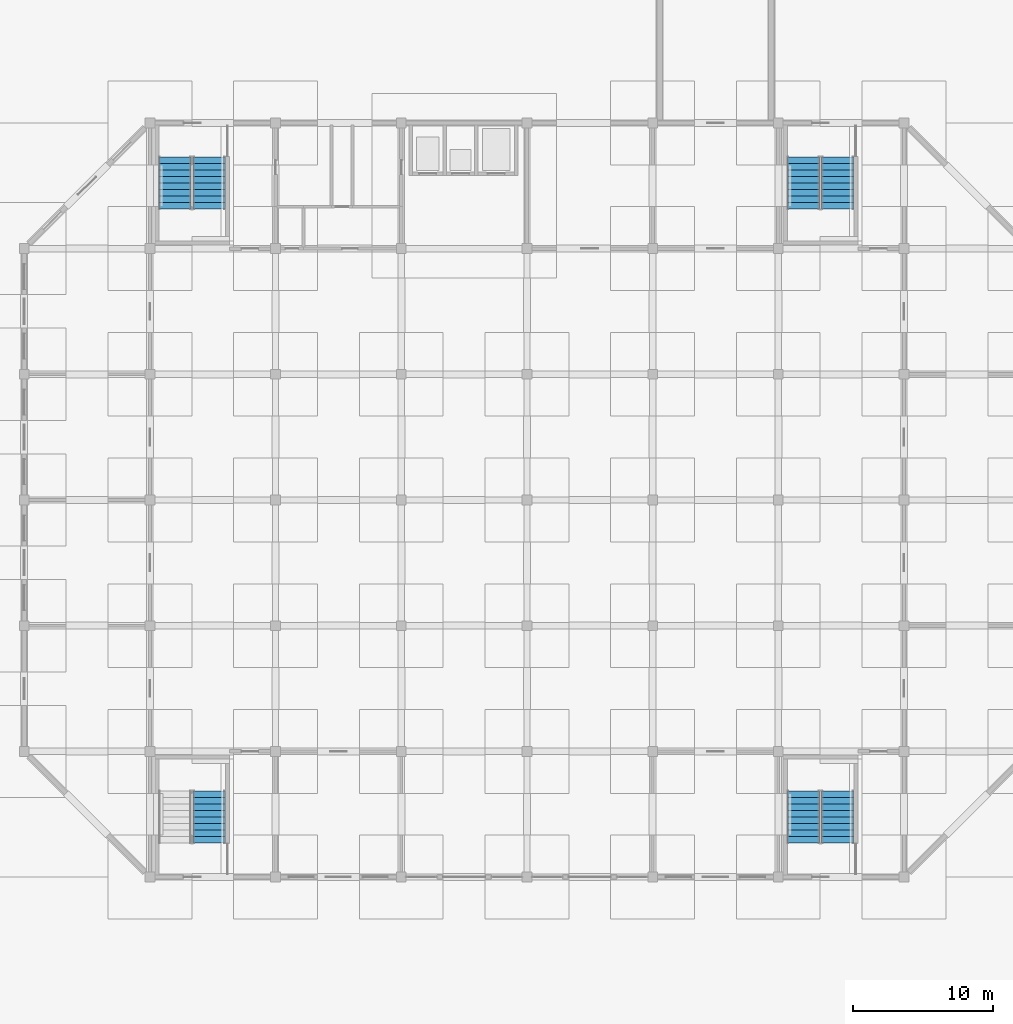
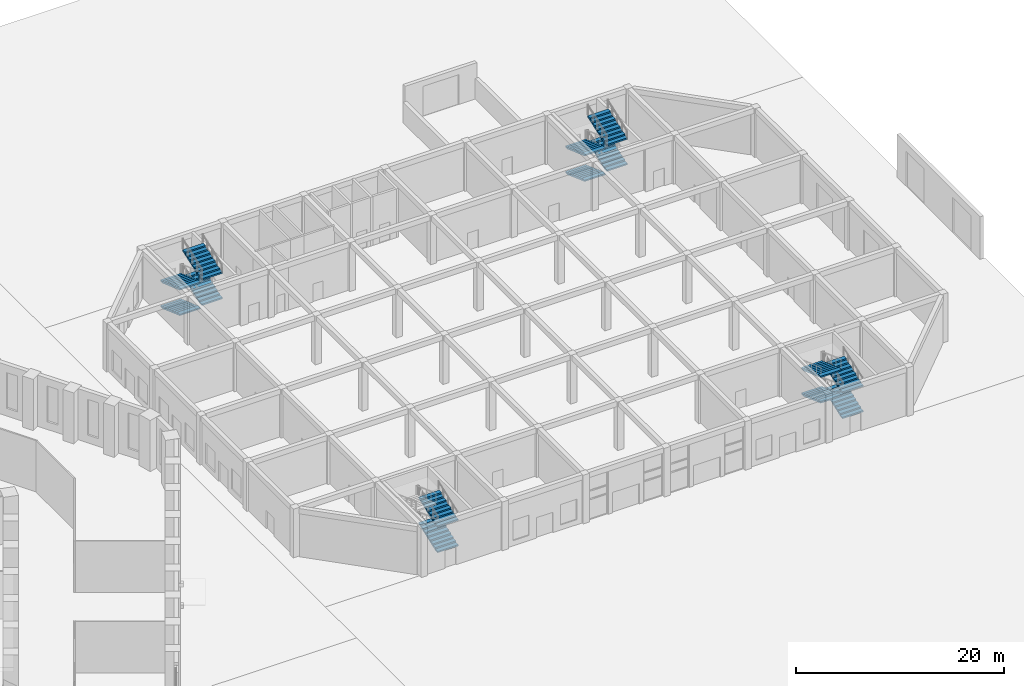
# One storey, part 30 of 44: 14 stair flights, 4 elements without a shape of their own.
"""IFC4 building model written with IfcOpenShell, lengths in metres."""

from ifc_helpers import new_model, si_unit, direction, frame, origin, place, context, subcontext, project, spatial, polyline, outline, extrude, material, type_object, element, aggregate, save


model = new_model("IFC4")

# Units and contexts
model_context = context("Model", 3, precision=1e-05, world=origin(), true_north=direction((0.0, 1.0)))
body_context = subcontext(model_context, "Body", "Model", "MODEL_VIEW")
ifc_project = project(units=[si_unit("LENGTHUNIT", "METRE"), si_unit("AREAUNIT", "SQUARE_METRE"), si_unit("VOLUMEUNIT", "CUBIC_METRE"), si_unit("PLANEANGLEUNIT", "RADIAN"), si_unit("MASSUNIT", "GRAM", prefix="KILO")], contexts=[model_context])

# Site, building, storey
site_placement = place(None, origin())
site = spatial("IfcSite", under=ifc_project, at=site_placement, CompositionType="ELEMENT")
building_placement = place(site_placement, origin())
building = spatial("IfcBuilding", under=site, at=building_placement, Name="Dhurran Vertical Campus", CompositionType="ELEMENT")
storey_placement = place(building_placement, origin())
storey = spatial("IfcBuildingStorey", under=building, at=storey_placement, Name="L00", CompositionType="ELEMENT", Elevation=0.0)

# Stair, stair flights
ifc_material_1 = material(Name="Concrete C40/50", Category="concrete")
stair_type = type_object("IfcStairType", Name="hl-exit stair dog-leg", PredefinedType="HALF_TURN_STAIR", material=ifc_material_1)
stair_1_placement = place(storey_placement, origin())
stair_1 = element("IfcStair", 1, at=stair_1_placement, inside=storey, type_object=stair_type, Name="L00 Exit stair HST1", PredefinedType="HALF_TURN_STAIR")
ifc_material_2 = material(Name="Concrete C40/50", Category="concrete")
stair_flight_type = type_object("IfcStairFlightType", Name="hl-stair flight", PredefinedType="STRAIGHT", material=ifc_material_2)
stair_flight_1_placement = place(storey_placement, frame((74.75, -24.550048828125, 0.0), z_axis=(0.0, 0.0, 1.0), x_axis=(0.0, 1.0, 0.0)))
stair_flight_1 = element("IfcStairFlight", 2, at=stair_flight_1_placement, type_object=stair_flight_type, Name="HST1 flight 1", NumberOfRisers=9, NumberOfTreads=8, PredefinedType="STRAIGHT", RiserHeight=0.166666667, TreadLength=0.462, context=body_context, shape_type="SweptSolid", body=[
    extrude(outline(polyline([(0.0, 0.0), (0.0, 0.166748046875), (0.4619140625, 0.166748046875), (0.4619140625, 0.333251953125), (0.924072265625, 0.333251953125), (0.924072265625, 0.5), (1.385986328125, 0.5), (1.385986328125, 0.666748046875), (1.847900390625, 0.666748046875), (1.847900390625, 0.833251953125), (2.31005859375, 0.833251953125), (2.31005859375, 1.0), (2.77197265625, 1.0), (2.77197265625, 1.166748046875), (3.23388671875, 1.166748046875), (3.23388671875, 1.333251953125), (3.696044921875, 1.333251953125), (3.696044921875, 1.5), (3.696044921875, 1.174072265625), (0.441650390625, 0.0), (0.0, 0.0)])), frame((0.0, 1.14990234375, 0.0), z_axis=(0.0, -1.0, 0.0), x_axis=(1.0, 0.0, 0.0)), (0.0, 0.0, 1.0), 2.300048828125),
])
stair_flight_2_placement = place(storey_placement, frame((74.75, -24.550048828125, 3.0), z_axis=(0.0, 0.0, 1.0), x_axis=(0.0, 1.0, 0.0)))
stair_flight_2 = element("IfcStairFlight", 3, at=stair_flight_2_placement, type_object=stair_flight_type, Name="HST1 flight 3", NumberOfRisers=9, NumberOfTreads=8, PredefinedType="STRAIGHT", RiserHeight=0.166666667, TreadLength=0.462, context=body_context, shape_type="SweptSolid", body=[
    extrude(outline(polyline([(0.0, 0.0), (0.0, 0.166748046875), (0.4619140625, 0.166748046875), (0.4619140625, 0.333251953125), (0.924072265625, 0.333251953125), (0.924072265625, 0.5), (1.385986328125, 0.5), (1.385986328125, 0.666748046875), (1.847900390625, 0.666748046875), (1.847900390625, 0.833251953125), (2.31005859375, 0.833251953125), (2.31005859375, 1.0), (2.77197265625, 1.0), (2.77197265625, 1.166748046875), (3.23388671875, 1.166748046875), (3.23388671875, 1.333251953125), (3.696044921875, 1.333251953125), (3.696044921875, 1.5), (3.696044921875, 1.174072265625), (0.441650390625, 0.0), (0.0, 0.0)])), frame((0.0, 1.14990234375, 0.0), z_axis=(0.0, -1.0, 0.0), x_axis=(1.0, 0.0, 0.0)), (0.0, 0.0, 1.0), 2.300048828125),
])
aggregate(stair_1, [stair_flight_1, stair_flight_2])

stair_2_placement = place(storey_placement, origin())
stair_2 = element("IfcStair", 4, at=stair_2_placement, inside=storey, type_object=stair_type, Name="L00 Exit stair HST2", PredefinedType="HALF_TURN_STAIR")
stair_flight_3_placement = place(storey_placement, frame((117.300048828125, 24.550048828125, 0.0), z_axis=(0.0, 0.0, 1.0), x_axis=(0.0, -1.0, 0.0)))
stair_flight_3 = element("IfcStairFlight", 5, at=stair_flight_3_placement, type_object=stair_flight_type, Name="HST2 flight 1", NumberOfRisers=9, NumberOfTreads=8, PredefinedType="STRAIGHT", RiserHeight=0.166666667, TreadLength=0.462, context=body_context, shape_type="SweptSolid", body=[
    extrude(outline(polyline([(0.0, 0.0), (0.0, 0.166748046875), (0.4619140625, 0.166748046875), (0.4619140625, 0.333251953125), (0.924072265625, 0.333251953125), (0.924072265625, 0.5), (1.385986328125, 0.5), (1.385986328125, 0.666748046875), (1.847900390625, 0.666748046875), (1.847900390625, 0.833251953125), (2.31005859375, 0.833251953125), (2.31005859375, 1.0), (2.77197265625, 1.0), (2.77197265625, 1.166748046875), (3.23388671875, 1.166748046875), (3.23388671875, 1.333251953125), (3.696044921875, 1.333251953125), (3.696044921875, 1.5), (3.696044921875, 1.174072265625), (0.441650390625, 0.0), (0.0, 0.0)])), frame((0.0, 1.14990234375, 0.0), z_axis=(0.0, -1.0, 0.0), x_axis=(1.0, 0.0, 0.0)), (0.0, 0.0, 1.0), 2.300048828125),
])
stair_flight_4_placement = place(storey_placement, frame((119.75, 20.85400390625, 1.5), z_axis=(0.0, 0.0, 1.0), x_axis=(0.0, 1.0, 0.0)))
stair_flight_4 = element("IfcStairFlight", 6, at=stair_flight_4_placement, type_object=stair_flight_type, Name="HST2 flight 2", NumberOfRisers=9, NumberOfTreads=8, PredefinedType="STRAIGHT", RiserHeight=0.166666667, TreadLength=0.462, context=body_context, shape_type="SweptSolid", body=[
    extrude(outline(polyline([(0.0, 0.0), (0.0, 0.166748046875), (0.4619140625, 0.166748046875), (0.4619140625, 0.333251953125), (0.924072265625, 0.333251953125), (0.924072265625, 0.5), (1.385986328125, 0.5), (1.385986328125, 0.666748046875), (1.847900390625, 0.666748046875), (1.847900390625, 0.833251953125), (2.31005859375, 0.833251953125), (2.31005859375, 1.0), (2.77197265625, 1.0), (2.77197265625, 1.166748046875), (3.23388671875, 1.166748046875), (3.23388671875, 1.333251953125), (3.696044921875, 1.333251953125), (3.696044921875, 1.5), (3.696044921875, 1.174072265625), (0.441650390625, 0.0), (0.0, 0.0)])), frame((0.0, 1.14990234375, 0.0), z_axis=(0.0, -1.0, 0.0), x_axis=(1.0, 0.0, 0.0)), (0.0, 0.0, 1.0), 2.300048828125),
])
stair_flight_5_placement = place(storey_placement, frame((117.300048828125, 24.550048828125, 3.0), z_axis=(0.0, 0.0, 1.0), x_axis=(0.0, -1.0, 0.0)))
stair_flight_5 = element("IfcStairFlight", 7, at=stair_flight_5_placement, type_object=stair_flight_type, Name="HST2 flight 3", NumberOfRisers=9, NumberOfTreads=8, PredefinedType="STRAIGHT", RiserHeight=0.166666667, TreadLength=0.462, context=body_context, shape_type="SweptSolid", body=[
    extrude(outline(polyline([(0.0, 0.0), (0.0, 0.166748046875), (0.4619140625, 0.166748046875), (0.4619140625, 0.333251953125), (0.924072265625, 0.333251953125), (0.924072265625, 0.5), (1.385986328125, 0.5), (1.385986328125, 0.666748046875), (1.847900390625, 0.666748046875), (1.847900390625, 0.833251953125), (2.31005859375, 0.833251953125), (2.31005859375, 1.0), (2.77197265625, 1.0), (2.77197265625, 1.166748046875), (3.23388671875, 1.166748046875), (3.23388671875, 1.333251953125), (3.696044921875, 1.333251953125), (3.696044921875, 1.5), (3.696044921875, 1.174072265625), (0.441650390625, 0.0), (0.0, 0.0)])), frame((0.0, 1.14990234375, 0.0), z_axis=(0.0, -1.0, 0.0), x_axis=(1.0, 0.0, 0.0)), (0.0, 0.0, 1.0), 2.300048828125),
])
stair_flight_6_placement = place(storey_placement, frame((119.75, 20.85400390625, 4.5), z_axis=(0.0, 0.0, 1.0), x_axis=(0.0, 1.0, 0.0)))
stair_flight_6 = element("IfcStairFlight", 8, at=stair_flight_6_placement, type_object=stair_flight_type, Name="HST2 flight 4", NumberOfRisers=9, NumberOfTreads=8, PredefinedType="STRAIGHT", RiserHeight=0.166666667, TreadLength=0.462, context=body_context, shape_type="SweptSolid", body=[
    extrude(outline(polyline([(0.0, 0.0), (0.0, 0.166748046875), (0.4619140625, 0.166748046875), (0.4619140625, 0.333251953125), (0.924072265625, 0.333251953125), (0.924072265625, 0.5), (1.385986328125, 0.5), (1.385986328125, 0.666748046875), (1.847900390625, 0.666748046875), (1.847900390625, 0.833251953125), (2.31005859375, 0.833251953125), (2.31005859375, 1.0), (2.77197265625, 1.0), (2.77197265625, 1.166748046875), (3.23388671875, 1.166748046875), (3.23388671875, 1.333251953125), (3.696044921875, 1.333251953125), (3.696044921875, 1.5), (3.696044921875, 1.174072265625), (0.441650390625, 0.0), (0.0, 0.0)])), frame((0.0, 1.14990234375, 0.0), z_axis=(0.0, -1.0, 0.0), x_axis=(1.0, 0.0, 0.0)), (0.0, 0.0, 1.0), 2.300048828125),
])
aggregate(stair_2, [stair_flight_3, stair_flight_4, stair_flight_5, stair_flight_6])

stair_3_placement = place(storey_placement, origin())
stair_3 = element("IfcStair", 9, at=stair_3_placement, inside=storey, type_object=stair_type, Name="L00 Exit stair HST3", PredefinedType="HALF_TURN_STAIR")
stair_flight_7_placement = place(storey_placement, frame((72.300048828125, 24.550048828125, 0.0), z_axis=(0.0, 0.0, 1.0), x_axis=(0.0, -1.0, 0.0)))
stair_flight_7 = element("IfcStairFlight", 10, at=stair_flight_7_placement, type_object=stair_flight_type, Name="HST3 flight 1", NumberOfRisers=9, NumberOfTreads=8, PredefinedType="STRAIGHT", RiserHeight=0.166666667, TreadLength=0.462, context=body_context, shape_type="SweptSolid", body=[
    extrude(outline(polyline([(0.0, 0.0), (0.0, 0.166748046875), (0.4619140625, 0.166748046875), (0.4619140625, 0.333251953125), (0.924072265625, 0.333251953125), (0.924072265625, 0.5), (1.385986328125, 0.5), (1.385986328125, 0.666748046875), (1.847900390625, 0.666748046875), (1.847900390625, 0.833251953125), (2.31005859375, 0.833251953125), (2.31005859375, 1.0), (2.77197265625, 1.0), (2.77197265625, 1.166748046875), (3.23388671875, 1.166748046875), (3.23388671875, 1.333251953125), (3.696044921875, 1.333251953125), (3.696044921875, 1.5), (3.696044921875, 1.174072265625), (0.441650390625, 0.0), (0.0, 0.0)])), frame((0.0, 1.14990234375, 0.0), z_axis=(0.0, -1.0, 0.0), x_axis=(1.0, 0.0, 0.0)), (0.0, 0.0, 1.0), 2.300048828125),
])
stair_flight_8_placement = place(storey_placement, frame((74.75, 20.85400390625, 1.5), z_axis=(0.0, 0.0, 1.0), x_axis=(0.0, 1.0, 0.0)))
stair_flight_8 = element("IfcStairFlight", 11, at=stair_flight_8_placement, type_object=stair_flight_type, Name="HST3 flight 2", NumberOfRisers=9, NumberOfTreads=8, PredefinedType="STRAIGHT", RiserHeight=0.166666667, TreadLength=0.462, context=body_context, shape_type="SweptSolid", body=[
    extrude(outline(polyline([(0.0, 0.0), (0.0, 0.166748046875), (0.4619140625, 0.166748046875), (0.4619140625, 0.333251953125), (0.924072265625, 0.333251953125), (0.924072265625, 0.5), (1.385986328125, 0.5), (1.385986328125, 0.666748046875), (1.847900390625, 0.666748046875), (1.847900390625, 0.833251953125), (2.31005859375, 0.833251953125), (2.31005859375, 1.0), (2.77197265625, 1.0), (2.77197265625, 1.166748046875), (3.23388671875, 1.166748046875), (3.23388671875, 1.333251953125), (3.696044921875, 1.333251953125), (3.696044921875, 1.5), (3.696044921875, 1.174072265625), (0.441650390625, 0.0), (0.0, 0.0)])), frame((0.0, 1.14990234375, 0.0), z_axis=(0.0, -1.0, 0.0), x_axis=(1.0, 0.0, 0.0)), (0.0, 0.0, 1.0), 2.300048828125),
])
stair_flight_9_placement = place(storey_placement, frame((72.300048828125, 24.550048828125, 3.0), z_axis=(0.0, 0.0, 1.0), x_axis=(0.0, -1.0, 0.0)))
stair_flight_9 = element("IfcStairFlight", 12, at=stair_flight_9_placement, type_object=stair_flight_type, Name="HST3 flight 3", NumberOfRisers=9, NumberOfTreads=8, PredefinedType="STRAIGHT", RiserHeight=0.166666667, TreadLength=0.462, context=body_context, shape_type="SweptSolid", body=[
    extrude(outline(polyline([(0.0, 0.0), (0.0, 0.166748046875), (0.4619140625, 0.166748046875), (0.4619140625, 0.333251953125), (0.924072265625, 0.333251953125), (0.924072265625, 0.5), (1.385986328125, 0.5), (1.385986328125, 0.666748046875), (1.847900390625, 0.666748046875), (1.847900390625, 0.833251953125), (2.31005859375, 0.833251953125), (2.31005859375, 1.0), (2.77197265625, 1.0), (2.77197265625, 1.166748046875), (3.23388671875, 1.166748046875), (3.23388671875, 1.333251953125), (3.696044921875, 1.333251953125), (3.696044921875, 1.5), (3.696044921875, 1.174072265625), (0.441650390625, 0.0), (0.0, 0.0)])), frame((0.0, 1.14990234375, 0.0), z_axis=(0.0, -1.0, 0.0), x_axis=(1.0, 0.0, 0.0)), (0.0, 0.0, 1.0), 2.300048828125),
])
stair_flight_10_placement = place(storey_placement, frame((74.75, 20.85400390625, 4.5), z_axis=(0.0, 0.0, 1.0), x_axis=(0.0, 1.0, 0.0)))
stair_flight_10 = element("IfcStairFlight", 13, at=stair_flight_10_placement, type_object=stair_flight_type, Name="HST3 flight 4", NumberOfRisers=9, NumberOfTreads=8, PredefinedType="STRAIGHT", RiserHeight=0.166666667, TreadLength=0.462, context=body_context, shape_type="SweptSolid", body=[
    extrude(outline(polyline([(0.0, 0.0), (0.0, 0.166748046875), (0.4619140625, 0.166748046875), (0.4619140625, 0.333251953125), (0.924072265625, 0.333251953125), (0.924072265625, 0.5), (1.385986328125, 0.5), (1.385986328125, 0.666748046875), (1.847900390625, 0.666748046875), (1.847900390625, 0.833251953125), (2.31005859375, 0.833251953125), (2.31005859375, 1.0), (2.77197265625, 1.0), (2.77197265625, 1.166748046875), (3.23388671875, 1.166748046875), (3.23388671875, 1.333251953125), (3.696044921875, 1.333251953125), (3.696044921875, 1.5), (3.696044921875, 1.174072265625), (0.441650390625, 0.0), (0.0, 0.0)])), frame((0.0, 1.14990234375, 0.0), z_axis=(0.0, -1.0, 0.0), x_axis=(1.0, 0.0, 0.0)), (0.0, 0.0, 1.0), 2.300048828125),
])
aggregate(stair_3, [stair_flight_7, stair_flight_8, stair_flight_9, stair_flight_10])

stair_4_placement = place(storey_placement, origin())
stair_4 = element("IfcStair", 14, at=stair_4_placement, inside=storey, type_object=stair_type, Name="L00 Exit stair HST4", PredefinedType="HALF_TURN_STAIR")
stair_flight_11_placement = place(storey_placement, frame((119.75, -24.550048828125, 0.0), z_axis=(0.0, 0.0, 1.0), x_axis=(0.0, 1.0, 0.0)))
stair_flight_11 = element("IfcStairFlight", 15, at=stair_flight_11_placement, type_object=stair_flight_type, Name="HST4 flight 1", NumberOfRisers=9, NumberOfTreads=8, PredefinedType="STRAIGHT", RiserHeight=0.166666667, TreadLength=0.462, context=body_context, shape_type="SweptSolid", body=[
    extrude(outline(polyline([(0.0, 0.0), (0.0, 0.166748046875), (0.4619140625, 0.166748046875), (0.4619140625, 0.333251953125), (0.924072265625, 0.333251953125), (0.924072265625, 0.5), (1.385986328125, 0.5), (1.385986328125, 0.666748046875), (1.847900390625, 0.666748046875), (1.847900390625, 0.833251953125), (2.31005859375, 0.833251953125), (2.31005859375, 1.0), (2.77197265625, 1.0), (2.77197265625, 1.166748046875), (3.23388671875, 1.166748046875), (3.23388671875, 1.333251953125), (3.696044921875, 1.333251953125), (3.696044921875, 1.5), (3.696044921875, 1.174072265625), (0.441650390625, 0.0), (0.0, 0.0)])), frame((0.0, 1.14990234375, 0.0), z_axis=(0.0, -1.0, 0.0), x_axis=(1.0, 0.0, 0.0)), (0.0, 0.0, 1.0), 2.300048828125),
])
stair_flight_12_placement = place(storey_placement, frame((117.300048828125, -20.85400390625, 1.5), z_axis=(0.0, 0.0, 1.0), x_axis=(0.0, -1.0, 0.0)))
stair_flight_12 = element("IfcStairFlight", 16, at=stair_flight_12_placement, type_object=stair_flight_type, Name="HST4 flight 2", NumberOfRisers=9, NumberOfTreads=8, PredefinedType="STRAIGHT", RiserHeight=0.166666667, TreadLength=0.462, context=body_context, shape_type="SweptSolid", body=[
    extrude(outline(polyline([(0.0, 0.0), (0.0, 0.166748046875), (0.4619140625, 0.166748046875), (0.4619140625, 0.333251953125), (0.924072265625, 0.333251953125), (0.924072265625, 0.5), (1.385986328125, 0.5), (1.385986328125, 0.666748046875), (1.847900390625, 0.666748046875), (1.847900390625, 0.833251953125), (2.31005859375, 0.833251953125), (2.31005859375, 1.0), (2.77197265625, 1.0), (2.77197265625, 1.166748046875), (3.23388671875, 1.166748046875), (3.23388671875, 1.333251953125), (3.696044921875, 1.333251953125), (3.696044921875, 1.5), (3.696044921875, 1.174072265625), (0.441650390625, 0.0), (0.0, 0.0)])), frame((0.0, 1.14990234375, 0.0), z_axis=(0.0, -1.0, 0.0), x_axis=(1.0, 0.0, 0.0)), (0.0, 0.0, 1.0), 2.300048828125),
])
stair_flight_13_placement = place(storey_placement, frame((119.75, -24.550048828125, 3.0), z_axis=(0.0, 0.0, 1.0), x_axis=(0.0, 1.0, 0.0)))
stair_flight_13 = element("IfcStairFlight", 17, at=stair_flight_13_placement, type_object=stair_flight_type, Name="HST4 flight 3", NumberOfRisers=9, NumberOfTreads=8, PredefinedType="STRAIGHT", RiserHeight=0.166666667, TreadLength=0.462, context=body_context, shape_type="SweptSolid", body=[
    extrude(outline(polyline([(0.0, 0.0), (0.0, 0.166748046875), (0.4619140625, 0.166748046875), (0.4619140625, 0.333251953125), (0.924072265625, 0.333251953125), (0.924072265625, 0.5), (1.385986328125, 0.5), (1.385986328125, 0.666748046875), (1.847900390625, 0.666748046875), (1.847900390625, 0.833251953125), (2.31005859375, 0.833251953125), (2.31005859375, 1.0), (2.77197265625, 1.0), (2.77197265625, 1.166748046875), (3.23388671875, 1.166748046875), (3.23388671875, 1.333251953125), (3.696044921875, 1.333251953125), (3.696044921875, 1.5), (3.696044921875, 1.174072265625), (0.441650390625, 0.0), (0.0, 0.0)])), frame((0.0, 1.14990234375, 0.0), z_axis=(0.0, -1.0, 0.0), x_axis=(1.0, 0.0, 0.0)), (0.0, 0.0, 1.0), 2.300048828125),
])
stair_flight_14_placement = place(storey_placement, frame((117.300048828125, -20.85400390625, 4.5), z_axis=(0.0, 0.0, 1.0), x_axis=(0.0, -1.0, 0.0)))
stair_flight_14 = element("IfcStairFlight", 18, at=stair_flight_14_placement, type_object=stair_flight_type, Name="HST4 flight 4", NumberOfRisers=9, NumberOfTreads=8, PredefinedType="STRAIGHT", RiserHeight=0.166666667, TreadLength=0.462, context=body_context, shape_type="SweptSolid", body=[
    extrude(outline(polyline([(0.0, 0.0), (0.0, 0.166748046875), (0.4619140625, 0.166748046875), (0.4619140625, 0.333251953125), (0.924072265625, 0.333251953125), (0.924072265625, 0.5), (1.385986328125, 0.5), (1.385986328125, 0.666748046875), (1.847900390625, 0.666748046875), (1.847900390625, 0.833251953125), (2.31005859375, 0.833251953125), (2.31005859375, 1.0), (2.77197265625, 1.0), (2.77197265625, 1.166748046875), (3.23388671875, 1.166748046875), (3.23388671875, 1.333251953125), (3.696044921875, 1.333251953125), (3.696044921875, 1.5), (3.696044921875, 1.174072265625), (0.441650390625, 0.0), (0.0, 0.0)])), frame((0.0, 1.14990234375, 0.0), z_axis=(0.0, -1.0, 0.0), x_axis=(1.0, 0.0, 0.0)), (0.0, 0.0, 1.0), 2.300048828125),
])
aggregate(stair_4, [stair_flight_11, stair_flight_12, stair_flight_13, stair_flight_14])

save(model, "model.ifc")
